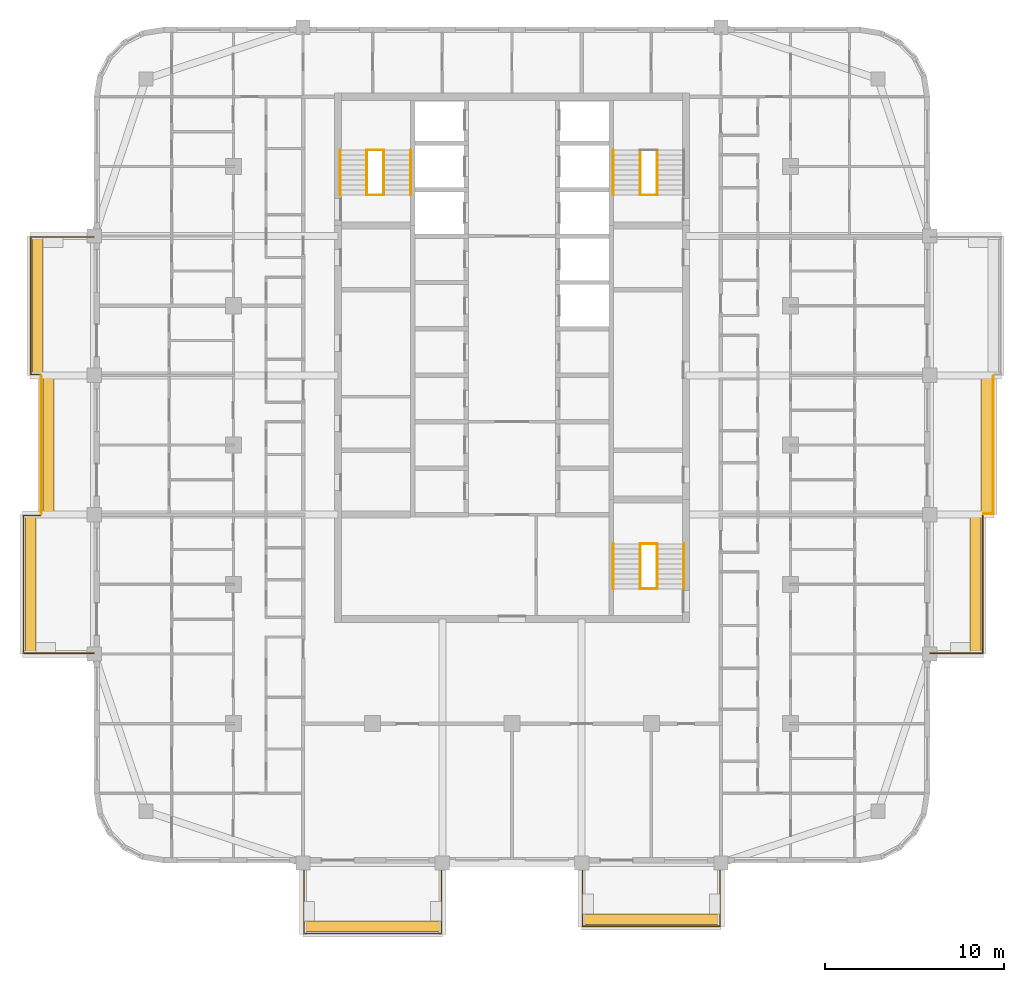
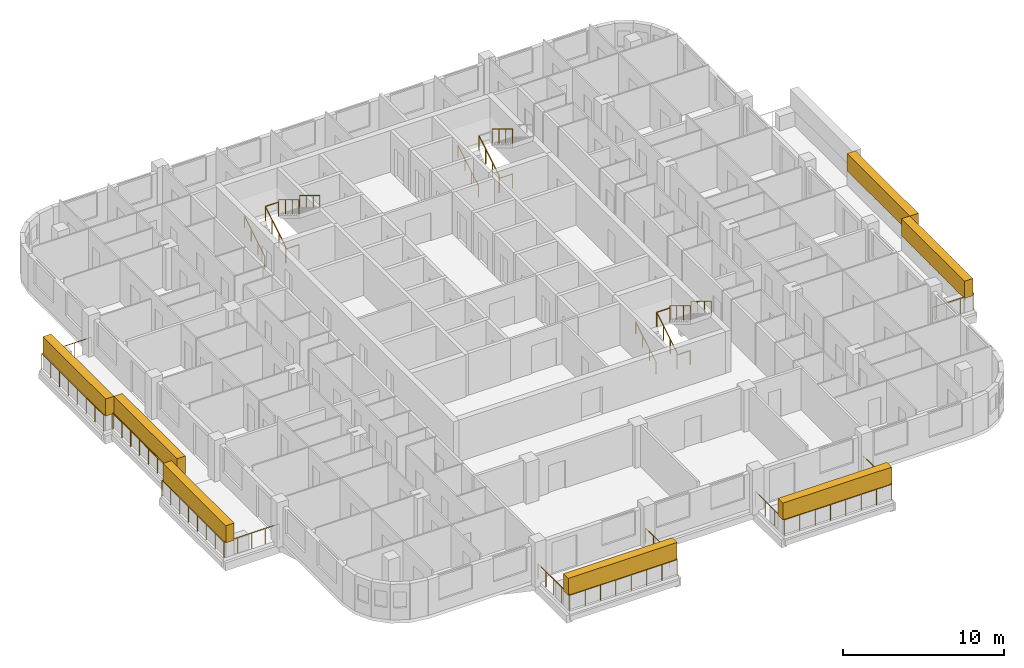
# One storey, part 15 of 16: 23 railings, 7 coverings, 3 elements without a shape of their own.
"""IFC4 building model written with IfcOpenShell, lengths in metres."""

from ifc_helpers import new_model, si_unit, direction, frame, origin, origin_2d, place, context, subcontext, project, spatial, rectangle, circle, extrude, material, layer, layer_set, type_object, element, aggregate, save


model = new_model("IFC4")

# Units and contexts
model_context = context("Model", 3, precision=1e-05, world=origin(), true_north=direction((0.0, 1.0)))
body_context = subcontext(model_context, "Body", "Model", "MODEL_VIEW")
ifc_project = project(units=[si_unit("LENGTHUNIT", "METRE"), si_unit("AREAUNIT", "SQUARE_METRE"), si_unit("VOLUMEUNIT", "CUBIC_METRE"), si_unit("PLANEANGLEUNIT", "RADIAN"), si_unit("MASSUNIT", "GRAM", prefix="KILO")], contexts=[model_context])

# Site, building, storey
site_placement = place(None, origin())
site = spatial("IfcSite", under=ifc_project, at=site_placement, CompositionType="ELEMENT")
building_placement = place(site_placement, origin())
building = spatial("IfcBuilding", under=site, at=building_placement, Name="Ludao Terraces", CompositionType="ELEMENT")
storey_placement = place(building_placement, frame((0.0, 0.0, 224.5)))
storey = spatial("IfcBuildingStorey", under=building, at=storey_placement, Name="L61", CompositionType="ELEMENT", Elevation=224.5)

# Railings
ifc_material_1 = material(Name="Stainless steel 304", Category="steel")
railing_type_1 = type_object("IfcRailingType", Name="ENV Balcony glass guard 1200", PredefinedType="GUARDRAIL", material=ifc_material_1)
railing_1_placement = place(storey_placement, frame((73.35009765625, 41.60009765625, 0.0)))
element("IfcRailing", 1, at=railing_1_placement, inside=storey, type_object=railing_type_1, Name="Balcony guard L61 S1", PredefinedType="GUARDRAIL", context=body_context, shape_type="SweptSolid", body=[
    extrude(circle(Radius=0.02392578125, at=origin_2d()), frame((0.0, 0.0, 1.17578125), z_axis=(0.0, -1.0, 0.0), x_axis=(1.0, 0.0, 0.0)), (0.0, 0.0, 1.0), 3.9501953125),
    extrude(circle(Radius=0.02392578125, at=origin_2d()), frame((0.0, -3.9501953125, 1.17578125), z_axis=(1.0, 0.0, 0.0), x_axis=(0.0, 1.0, 0.0)), (0.0, 0.0, 1.0), 7.699951171875),
    extrude(circle(Radius=0.02392578125, at=origin_2d()), frame((7.699951171875, -3.9501953125, 1.17578125), z_axis=(0.0, 1.0, 0.0), x_axis=(-1.0, 0.0, 0.0)), (0.0, 0.0, 1.0), 3.9501953125),
    extrude(circle(Radius=0.02099609375, at=origin_2d()), origin(), (0.0, 0.0, 1.0), 1.15185546875),
    extrude(circle(Radius=0.02099609375, at=origin_2d()), frame((0.0, -0.987548828125, 0.0)), (0.0, 0.0, 1.0), 1.15185546875),
    extrude(circle(Radius=0.02099609375, at=origin_2d()), frame((0.0, -1.97509765625, 0.0)), (0.0, 0.0, 1.0), 1.15185546875),
    extrude(circle(Radius=0.02099609375, at=origin_2d()), frame((0.0, -2.962646484375, 0.0)), (0.0, 0.0, 1.0), 1.15185546875),
    extrude(circle(Radius=0.02099609375, at=origin_2d()), frame((0.0, -3.9501953125, 0.0)), (0.0, 0.0, 1.0), 1.15185546875),
    extrude(circle(Radius=0.02099609375, at=origin_2d()), frame((1.10009765625, -3.9501953125, 0.0)), (0.0, 0.0, 1.0), 1.15185546875),
    extrude(circle(Radius=0.02099609375, at=origin_2d()), frame((2.199951171875, -3.9501953125, 0.0)), (0.0, 0.0, 1.0), 1.15185546875),
    extrude(circle(Radius=0.02099609375, at=origin_2d()), frame((3.300048828125, -3.9501953125, 0.0)), (0.0, 0.0, 1.0), 1.15185546875),
    extrude(circle(Radius=0.02099609375, at=origin_2d()), frame((4.39990234375, -3.9501953125, 0.0)), (0.0, 0.0, 1.0), 1.15185546875),
    extrude(circle(Radius=0.02099609375, at=origin_2d()), frame((5.5, -3.9501953125, 0.0)), (0.0, 0.0, 1.0), 1.15185546875),
    extrude(circle(Radius=0.02099609375, at=origin_2d()), frame((6.599853515625, -3.9501953125, 0.0)), (0.0, 0.0, 1.0), 1.15185546875),
    extrude(circle(Radius=0.02099609375, at=origin_2d()), frame((7.699951171875, -3.9501953125, 0.0)), (0.0, 0.0, 1.0), 1.15185546875),
    extrude(circle(Radius=0.02099609375, at=origin_2d()), frame((7.699951171875, -2.962646484375, 0.0)), (0.0, 0.0, 1.0), 1.15185546875),
    extrude(circle(Radius=0.02099609375, at=origin_2d()), frame((7.699951171875, -1.97509765625, 0.0)), (0.0, 0.0, 1.0), 1.15185546875),
    extrude(circle(Radius=0.02099609375, at=origin_2d()), frame((7.699951171875, -0.987548828125, 0.0)), (0.0, 0.0, 1.0), 1.15185546875),
    extrude(circle(Radius=0.02099609375, at=origin_2d()), frame((7.699951171875, 0.0, 0.0)), (0.0, 0.0, 1.0), 1.15185546875),
])
railing_2_placement = place(storey_placement, frame((88.949951171875, 41.60009765625, 0.0)))
element("IfcRailing", 2, at=railing_2_placement, inside=storey, type_object=railing_type_1, Name="Balcony guard L61 S3", PredefinedType="GUARDRAIL", context=body_context, shape_type="SweptSolid", body=[
    extrude(circle(Radius=0.02392578125, at=origin_2d()), frame((0.0, 0.0, 1.17578125), z_axis=(0.0, -1.0, 0.0), x_axis=(1.0, 0.0, 0.0)), (0.0, 0.0, 1.0), 3.550048828125),
    extrude(circle(Radius=0.02392578125, at=origin_2d()), frame((0.0, -3.550048828125, 1.17578125), z_axis=(1.0, 0.0, 0.0), x_axis=(0.0, 1.0, 0.0)), (0.0, 0.0, 1.0), 7.699951171875),
    extrude(circle(Radius=0.02392578125, at=origin_2d()), frame((7.699951171875, -3.550048828125, 1.17578125), z_axis=(0.0, 1.0, 0.0), x_axis=(-1.0, 0.0, 0.0)), (0.0, 0.0, 1.0), 3.550048828125),
    extrude(circle(Radius=0.02099609375, at=origin_2d()), origin(), (0.0, 0.0, 1.0), 1.15185546875),
    extrude(circle(Radius=0.02099609375, at=origin_2d()), frame((0.0, -1.183349609375, 0.0)), (0.0, 0.0, 1.0), 1.15185546875),
    extrude(circle(Radius=0.02099609375, at=origin_2d()), frame((0.0, -2.36669921875, 0.0)), (0.0, 0.0, 1.0), 1.15185546875),
    extrude(circle(Radius=0.02099609375, at=origin_2d()), frame((0.0, -3.550048828125, 0.0)), (0.0, 0.0, 1.0), 1.15185546875),
    extrude(circle(Radius=0.02099609375, at=origin_2d()), frame((1.10009765625, -3.550048828125, 0.0)), (0.0, 0.0, 1.0), 1.15185546875),
    extrude(circle(Radius=0.02099609375, at=origin_2d()), frame((2.199951171875, -3.550048828125, 0.0)), (0.0, 0.0, 1.0), 1.15185546875),
    extrude(circle(Radius=0.02099609375, at=origin_2d()), frame((3.300048828125, -3.550048828125, 0.0)), (0.0, 0.0, 1.0), 1.15185546875),
    extrude(circle(Radius=0.02099609375, at=origin_2d()), frame((4.39990234375, -3.550048828125, 0.0)), (0.0, 0.0, 1.0), 1.15185546875),
    extrude(circle(Radius=0.02099609375, at=origin_2d()), frame((5.5, -3.550048828125, 0.0)), (0.0, 0.0, 1.0), 1.15185546875),
    extrude(circle(Radius=0.02099609375, at=origin_2d()), frame((6.599853515625, -3.550048828125, 0.0)), (0.0, 0.0, 1.0), 1.15185546875),
    extrude(circle(Radius=0.02099609375, at=origin_2d()), frame((7.699951171875, -3.550048828125, 0.0)), (0.0, 0.0, 1.0), 1.15185546875),
    extrude(circle(Radius=0.02099609375, at=origin_2d()), frame((7.699951171875, -2.36669921875, 0.0)), (0.0, 0.0, 1.0), 1.15185546875),
    extrude(circle(Radius=0.02099609375, at=origin_2d()), frame((7.699951171875, -1.183349609375, 0.0)), (0.0, 0.0, 1.0), 1.15185546875),
    extrude(circle(Radius=0.02099609375, at=origin_2d()), frame((7.699951171875, 0.0, 0.0)), (0.0, 0.0, 1.0), 1.15185546875),
])
railing_3_placement = place(storey_placement, frame((108.39990234375, 53.35009765625, 0.0)))
element("IfcRailing", 3, at=railing_3_placement, inside=storey, type_object=railing_type_1, Name="Balcony guard L61 E1", PredefinedType="GUARDRAIL", context=body_context, shape_type="SweptSolid", body=[
    extrude(circle(Radius=0.02392578125, at=origin_2d()), frame((0.0, 0.0, 1.17578125), z_axis=(1.0, 0.0, 0.0), x_axis=(0.0, 1.0, 0.0)), (0.0, 0.0, 1.0), 2.9501953125),
    extrude(circle(Radius=0.02392578125, at=origin_2d()), frame((2.9501953125, 0.0, 1.17578125), z_axis=(0.0, 1.0, 0.0), x_axis=(-1.0, 0.0, 0.0)), (0.0, 0.0, 1.0), 7.699951171875),
    extrude(circle(Radius=0.02099609375, at=origin_2d()), origin(), (0.0, 0.0, 1.0), 1.15185546875),
    extrude(circle(Radius=0.02099609375, at=origin_2d()), frame((0.9833984375, 0.0, 0.0)), (0.0, 0.0, 1.0), 1.15185546875),
    extrude(circle(Radius=0.02099609375, at=origin_2d()), frame((1.966796875, 0.0, 0.0)), (0.0, 0.0, 1.0), 1.15185546875),
    extrude(circle(Radius=0.02099609375, at=origin_2d()), frame((2.9501953125, 0.0, 0.0)), (0.0, 0.0, 1.0), 1.15185546875),
    extrude(circle(Radius=0.02099609375, at=origin_2d()), frame((2.9501953125, 1.10009765625, 0.0)), (0.0, 0.0, 1.0), 1.15185546875),
    extrude(circle(Radius=0.02099609375, at=origin_2d()), frame((2.9501953125, 2.199951171875, 0.0)), (0.0, 0.0, 1.0), 1.15185546875),
    extrude(circle(Radius=0.02099609375, at=origin_2d()), frame((2.9501953125, 3.300048828125, 0.0)), (0.0, 0.0, 1.0), 1.15185546875),
    extrude(circle(Radius=0.02099609375, at=origin_2d()), frame((2.9501953125, 4.39990234375, 0.0)), (0.0, 0.0, 1.0), 1.15185546875),
    extrude(circle(Radius=0.02099609375, at=origin_2d()), frame((2.9501953125, 5.5, 0.0)), (0.0, 0.0, 1.0), 1.15185546875),
    extrude(circle(Radius=0.02099609375, at=origin_2d()), frame((2.9501953125, 6.599853515625, 0.0)), (0.0, 0.0, 1.0), 1.15185546875),
    extrude(circle(Radius=0.02099609375, at=origin_2d()), frame((2.9501953125, 7.699951171875, 0.0)), (0.0, 0.0, 1.0), 1.15185546875),
])
railing_4_placement = place(storey_placement, frame((111.39990234375, 61.14990234375, 0.0)))
element("IfcRailing", 4, at=railing_4_placement, inside=storey, type_object=railing_type_1, Name="Balcony guard L61 E2", PredefinedType="GUARDRAIL", context=body_context, shape_type="SweptSolid", body=[
    extrude(circle(Radius=0.02392578125, at=origin_2d()), frame((0.0, 0.0, 1.17578125), z_axis=(1.0, 0.0, 0.0), x_axis=(0.0, 1.0, 0.0)), (0.0, 0.0, 1.0), 0.550048828125),
    extrude(circle(Radius=0.02392578125, at=origin_2d()), frame((0.550048828125, 0.0, 1.17578125), z_axis=(0.0, 1.0, 0.0), x_axis=(-1.0, 0.0, 0.0)), (0.0, 0.0, 1.0), 7.7001953125),
    extrude(circle(Radius=0.02099609375, at=origin_2d()), origin(), (0.0, 0.0, 1.0), 1.15185546875),
    extrude(circle(Radius=0.02099609375, at=origin_2d()), frame((0.550048828125, 0.0, 0.0)), (0.0, 0.0, 1.0), 1.15185546875),
    extrude(circle(Radius=0.02099609375, at=origin_2d()), frame((0.550048828125, 1.10009765625, 0.0)), (0.0, 0.0, 1.0), 1.15185546875),
    extrude(circle(Radius=0.02099609375, at=origin_2d()), frame((0.550048828125, 2.199951171875, 0.0)), (0.0, 0.0, 1.0), 1.15185546875),
    extrude(circle(Radius=0.02099609375, at=origin_2d()), frame((0.550048828125, 3.300048828125, 0.0)), (0.0, 0.0, 1.0), 1.15185546875),
    extrude(circle(Radius=0.02099609375, at=origin_2d()), frame((0.550048828125, 4.400146484375, 0.0)), (0.0, 0.0, 1.0), 1.15185546875),
    extrude(circle(Radius=0.02099609375, at=origin_2d()), frame((0.550048828125, 5.500244140625, 0.0)), (0.0, 0.0, 1.0), 1.15185546875),
    extrude(circle(Radius=0.02099609375, at=origin_2d()), frame((0.550048828125, 6.60009765625, 0.0)), (0.0, 0.0, 1.0), 1.15185546875),
    extrude(circle(Radius=0.02099609375, at=origin_2d()), frame((0.550048828125, 7.7001953125, 0.0)), (0.0, 0.0, 1.0), 1.15185546875),
])
railing_5_placement = place(storey_placement, frame((61.60009765625, 53.35009765625, 0.0)))
element("IfcRailing", 5, at=railing_5_placement, inside=storey, type_object=railing_type_1, Name="Balcony guard L61 W1", PredefinedType="GUARDRAIL", context=body_context, shape_type="SweptSolid", body=[
    extrude(circle(Radius=0.02392578125, at=origin_2d()), frame((0.0, 0.0, 1.17578125), z_axis=(-1.0, 0.0, 0.0), x_axis=(0.0, -1.0, 0.0)), (0.0, 0.0, 1.0), 3.9501953125),
    extrude(circle(Radius=0.02392578125, at=origin_2d()), frame((-3.9501953125, 0.0, 1.17578125), z_axis=(0.0, 1.0, 0.0), x_axis=(-1.0, 0.0, 0.0)), (0.0, 0.0, 1.0), 7.699951171875),
    extrude(circle(Radius=0.02392578125, at=origin_2d()), frame((-3.9501953125, 7.699951171875, 1.17578125), z_axis=(1.0, 0.0, 0.0), x_axis=(0.0, 1.0, 0.0)), (0.0, 0.0, 1.0), 0.9501953125),
    extrude(circle(Radius=0.02099609375, at=origin_2d()), origin(), (0.0, 0.0, 1.0), 1.15185546875),
    extrude(circle(Radius=0.02099609375, at=origin_2d()), frame((-0.987548828125, 0.0, 0.0)), (0.0, 0.0, 1.0), 1.15185546875),
    extrude(circle(Radius=0.02099609375, at=origin_2d()), frame((-1.97509765625, 0.0, 0.0)), (0.0, 0.0, 1.0), 1.15185546875),
    extrude(circle(Radius=0.02099609375, at=origin_2d()), frame((-2.962646484375, 0.0, 0.0)), (0.0, 0.0, 1.0), 1.15185546875),
    extrude(circle(Radius=0.02099609375, at=origin_2d()), frame((-3.9501953125, 0.0, 0.0)), (0.0, 0.0, 1.0), 1.15185546875),
    extrude(circle(Radius=0.02099609375, at=origin_2d()), frame((-3.9501953125, 1.10009765625, 0.0)), (0.0, 0.0, 1.0), 1.15185546875),
    extrude(circle(Radius=0.02099609375, at=origin_2d()), frame((-3.9501953125, 2.199951171875, 0.0)), (0.0, 0.0, 1.0), 1.15185546875),
    extrude(circle(Radius=0.02099609375, at=origin_2d()), frame((-3.9501953125, 3.300048828125, 0.0)), (0.0, 0.0, 1.0), 1.15185546875),
    extrude(circle(Radius=0.02099609375, at=origin_2d()), frame((-3.9501953125, 4.39990234375, 0.0)), (0.0, 0.0, 1.0), 1.15185546875),
    extrude(circle(Radius=0.02099609375, at=origin_2d()), frame((-3.9501953125, 5.5, 0.0)), (0.0, 0.0, 1.0), 1.15185546875),
    extrude(circle(Radius=0.02099609375, at=origin_2d()), frame((-3.9501953125, 6.599853515625, 0.0)), (0.0, 0.0, 1.0), 1.15185546875),
    extrude(circle(Radius=0.02099609375, at=origin_2d()), frame((-3.9501953125, 7.699951171875, 0.0)), (0.0, 0.0, 1.0), 1.15185546875),
    extrude(circle(Radius=0.02099609375, at=origin_2d()), frame((-3.0, 7.699951171875, 0.0)), (0.0, 0.0, 1.0), 1.15185546875),
])
railing_6_placement = place(storey_placement, frame((58.64990234375, 61.14990234375, 0.0)))
element("IfcRailing", 6, at=railing_6_placement, inside=storey, type_object=railing_type_1, Name="Balcony guard L61 W2", PredefinedType="GUARDRAIL", context=body_context, shape_type="SweptSolid", body=[
    extrude(circle(Radius=0.02392578125, at=origin_2d()), frame((0.0, 0.0, 1.17578125), z_axis=(0.0, 1.0, 0.0), x_axis=(-1.0, 0.0, 0.0)), (0.0, 0.0, 1.0), 7.7001953125),
    extrude(circle(Radius=0.02099609375, at=origin_2d()), origin(), (0.0, 0.0, 1.0), 1.15185546875),
    extrude(circle(Radius=0.02099609375, at=origin_2d()), frame((0.0, 1.10009765625, 0.0)), (0.0, 0.0, 1.0), 1.15185546875),
    extrude(circle(Radius=0.02099609375, at=origin_2d()), frame((0.0, 2.199951171875, 0.0)), (0.0, 0.0, 1.0), 1.15185546875),
    extrude(circle(Radius=0.02099609375, at=origin_2d()), frame((0.0, 3.300048828125, 0.0)), (0.0, 0.0, 1.0), 1.15185546875),
    extrude(circle(Radius=0.02099609375, at=origin_2d()), frame((0.0, 4.400146484375, 0.0)), (0.0, 0.0, 1.0), 1.15185546875),
    extrude(circle(Radius=0.02099609375, at=origin_2d()), frame((0.0, 5.500244140625, 0.0)), (0.0, 0.0, 1.0), 1.15185546875),
    extrude(circle(Radius=0.02099609375, at=origin_2d()), frame((0.0, 6.60009765625, 0.0)), (0.0, 0.0, 1.0), 1.15185546875),
    extrude(circle(Radius=0.02099609375, at=origin_2d()), frame((0.0, 7.7001953125, 0.0)), (0.0, 0.0, 1.0), 1.15185546875),
])
railing_7_placement = place(storey_placement, frame((58.60009765625, 68.949951171875, 0.0)))
element("IfcRailing", 7, at=railing_7_placement, inside=storey, type_object=railing_type_1, Name="Balcony guard L61 W3", PredefinedType="GUARDRAIL", context=body_context, shape_type="SweptSolid", body=[
    extrude(circle(Radius=0.02392578125, at=origin_2d()), frame((0.0, 0.0, 1.17578125), z_axis=(-1.0, 0.0, 0.0), x_axis=(0.0, -1.0, 0.0)), (0.0, 0.0, 1.0), 0.550048828125),
    extrude(circle(Radius=0.02392578125, at=origin_2d()), frame((-0.550048828125, 0.0, 1.17578125), z_axis=(0.0, 1.0, 0.0), x_axis=(-1.0, 0.0, 0.0)), (0.0, 0.0, 1.0), 7.699951171875),
    extrude(circle(Radius=0.02392578125, at=origin_2d()), frame((-0.550048828125, 7.699951171875, 1.17578125), z_axis=(1.0, 0.0, 0.0), x_axis=(0.0, 1.0, 0.0)), (0.0, 0.0, 1.0), 3.550048828125),
    extrude(circle(Radius=0.02099609375, at=origin_2d()), origin(), (0.0, 0.0, 1.0), 1.15185546875),
    extrude(circle(Radius=0.02099609375, at=origin_2d()), frame((-0.550048828125, 0.0, 0.0)), (0.0, 0.0, 1.0), 1.15185546875),
    extrude(circle(Radius=0.02099609375, at=origin_2d()), frame((-0.550048828125, 1.10009765625, 0.0)), (0.0, 0.0, 1.0), 1.15185546875),
    extrude(circle(Radius=0.02099609375, at=origin_2d()), frame((-0.550048828125, 2.199951171875, 0.0)), (0.0, 0.0, 1.0), 1.15185546875),
    extrude(circle(Radius=0.02099609375, at=origin_2d()), frame((-0.550048828125, 3.300048828125, 0.0)), (0.0, 0.0, 1.0), 1.15185546875),
    extrude(circle(Radius=0.02099609375, at=origin_2d()), frame((-0.550048828125, 4.39990234375, 0.0)), (0.0, 0.0, 1.0), 1.15185546875),
    extrude(circle(Radius=0.02099609375, at=origin_2d()), frame((-0.550048828125, 5.5, 0.0)), (0.0, 0.0, 1.0), 1.15185546875),
    extrude(circle(Radius=0.02099609375, at=origin_2d()), frame((-0.550048828125, 6.599853515625, 0.0)), (0.0, 0.0, 1.0), 1.15185546875),
    extrude(circle(Radius=0.02099609375, at=origin_2d()), frame((-0.550048828125, 7.699951171875, 0.0)), (0.0, 0.0, 1.0), 1.15185546875),
    extrude(circle(Radius=0.02099609375, at=origin_2d()), frame((0.63330078125, 7.699951171875, 0.0)), (0.0, 0.0, 1.0), 1.15185546875),
    extrude(circle(Radius=0.02099609375, at=origin_2d()), frame((1.816650390625, 7.699951171875, 0.0)), (0.0, 0.0, 1.0), 1.15185546875),
    extrude(circle(Radius=0.02099609375, at=origin_2d()), frame((3.0, 7.699951171875, 0.0)), (0.0, 0.0, 1.0), 1.15185546875),
])

# Coverings
ifc_material_2 = material(Name="Planting")
ifc_layer = layer(ifc_material_2, 0.60009765625)
ifc_layer_set = layer_set([ifc_layer], Name="ENV Planting hedge 600x1300")
covering_type = type_object("IfcCoveringType", Name="ENV Planting hedge 600x1300", PredefinedType="USERDEFINED", material=ifc_layer_set)
for number, where, z_axis, x_axis, name in (
    (8, (77.199951171875, 38.050048828125, 1.10009765625), (0.0, 0.0, 1.0), (1.0, 0.0, 0.0), "Planting hedge L61-S1"),
    (9, (92.800048828125, 38.449951171875, 1.10009765625), (0.0, 0.0, 1.0), (1.0, 0.0, 0.0), "Planting hedge L61-S3"),
):
    element("IfcCovering", number, at=place(storey_placement, frame(where, z_axis=z_axis, x_axis=x_axis)), inside=storey, type_object=covering_type, Name=name, ObjectType="PLANTING", PredefinedType="USERDEFINED", context=body_context, shape_type="SweptSolid", body=[
        extrude(rectangle(XDim=7.800048828125, YDim=0.60009765625, at=origin_2d()), origin(), (0.0, 0.0, 1.0), 1.300048828125),
    ])
for number, where, z_axis, x_axis, name in (
    (10, (110.949951171875, 57.199951171875, 1.10009765625), (0.0, 0.0, 1.0), (1.0, 0.0, 0.0), "Planting hedge L61-E1"),
    (11, (111.550048828125, 65.0, 1.10009765625), (0.0, 0.0, 1.0), (1.0, 0.0, 0.0), "Planting hedge L61-E2"),
    (12, (58.050048828125, 57.199951171875, 1.10009765625), (0.0, 0.0, 1.0), (1.0, 0.0, 0.0), "Planting hedge L61-W1"),
    (13, (59.050048828125, 65.0, 1.10009765625), (0.0, 0.0, 1.0), (1.0, 0.0, 0.0), "Planting hedge L61-W2"),
    (14, (58.449951171875, 72.800048828125, 1.10009765625), (0.0, 0.0, 1.0), (1.0, 0.0, 0.0), "Planting hedge L61-W3"),
):
    element("IfcCovering", number, at=place(storey_placement, frame(where, z_axis=z_axis, x_axis=x_axis)), inside=storey, type_object=covering_type, Name=name, ObjectType="PLANTING", PredefinedType="USERDEFINED", context=body_context, shape_type="SweptSolid", body=[
        extrude(rectangle(XDim=0.60009765625, YDim=7.800048828125, at=origin_2d()), origin(), (0.0, 0.0, 1.0), 1.300048828125),
    ])

# Stair, railings
ifc_material_3 = material(Name="Concrete C40", Category="concrete")
stair_type = type_object("IfcStairType", Name="INT Stair", PredefinedType="HALF_TURN_STAIR", material=ifc_material_3)
stair_1_placement = place(storey_placement, origin())
stair_1 = element("IfcStair", 15, at=stair_1_placement, inside=storey, type_object=stair_type, Name="EXIT STAIR 1", PredefinedType="HALF_TURN_STAIR")
railing_type_2 = type_object("IfcRailingType", Name="INT Stair guard 1100", PredefinedType="GUARDRAIL", material=ifc_material_1)
railing_8_placement = place(storey_placement, frame((76.875, 79.0, 0.169921875)))
railing_8 = element("IfcRailing", 16, at=railing_8_placement, type_object=railing_type_2, Name="ST-L61-S1-R1G", PredefinedType="GUARDRAIL", context=body_context, shape_type="SweptSolid", body=[
    extrude(circle(Radius=0.02392578125, at=origin_2d()), frame((0.0, 0.0, 1.076171875), z_axis=(0.0, 0.85478489116, 0.518982456201), x_axis=(-1.0, 0.0, 0.0)), (0.0, 0.0, 1.0), 2.9482421875),
    extrude(circle(Radius=0.02099609375, at=origin_2d()), origin(), (0.0, 0.0, 1.0), 1.052001953125),
    extrude(circle(Radius=0.02099609375, at=origin_2d()), frame((0.0, 0.840087890625, 0.510009765625)), (0.0, 0.0, 1.0), 1.052001953125),
    extrude(circle(Radius=0.02099609375, at=origin_2d()), frame((0.0, 1.679931640625, 1.02001953125)), (0.0, 0.0, 1.0), 1.052001953125),
    extrude(circle(Radius=0.02099609375, at=origin_2d()), frame((0.0, 2.52001953125, 1.530029296875)), (0.0, 0.0, 1.0), 1.052001953125),
])
railing_9_placement = place(storey_placement, frame((77.824951171875, 81.52001953125, 1.8701171875)))
railing_9 = element("IfcRailing", 17, at=railing_9_placement, type_object=railing_type_2, Name="ST-L61-S1-R2G", PredefinedType="GUARDRAIL", context=body_context, shape_type="SweptSolid", body=[
    extrude(circle(Radius=0.02392578125, at=origin_2d()), frame((0.0, 0.0, 1.076171875), z_axis=(0.0, -0.854821627497, 0.518921945155), x_axis=(1.0, 0.0, 0.0)), (0.0, 0.0, 1.0), 2.947998046875),
    extrude(circle(Radius=0.02099609375, at=origin_2d()), origin(), (0.0, 0.0, 1.0), 1.052001953125),
    extrude(circle(Radius=0.02099609375, at=origin_2d()), frame((0.0, -0.840087890625, 0.510009765625)), (0.0, 0.0, 1.0), 1.052001953125),
    extrude(circle(Radius=0.02099609375, at=origin_2d()), frame((0.0, -1.679931640625, 1.019775390625)), (0.0, 0.0, 1.0), 1.052001953125),
    extrude(circle(Radius=0.02099609375, at=origin_2d()), frame((0.0, -2.52001953125, 1.52978515625)), (0.0, 0.0, 1.0), 1.052001953125),
])
railing_10_placement = place(storey_placement, frame((76.875, 81.52001953125, 1.699951171875)))
railing_10 = element("IfcRailing", 18, at=railing_10_placement, type_object=railing_type_2, Name="ST-L61-S1-E1G", PredefinedType="GUARDRAIL", context=body_context, shape_type="SweptSolid", body=[
    extrude(circle(Radius=0.02392578125, at=origin_2d()), frame((0.0, 0.0, 1.076171875), z_axis=(1.0, 0.0, 0.0), x_axis=(0.0, 1.0, 0.0)), (0.0, 0.0, 1.0), 0.949951171875),
    extrude(circle(Radius=0.02099609375, at=origin_2d()), origin(), (0.0, 0.0, 1.0), 1.052001953125),
    extrude(circle(Radius=0.02099609375, at=origin_2d()), frame((0.949951171875, 0.0, 0.0)), (0.0, 0.0, 1.0), 1.052001953125),
])
railing_11_placement = place(storey_placement, frame((76.875, 79.0, 0.0)))
railing_11 = element("IfcRailing", 19, at=railing_11_placement, type_object=railing_type_2, Name="ST-L61-S1-E2G", PredefinedType="GUARDRAIL", context=body_context, shape_type="SweptSolid", body=[
    extrude(circle(Radius=0.02392578125, at=origin_2d()), frame((0.0, 0.0, 1.076171875), z_axis=(1.0, 0.0, 0.0), x_axis=(0.0, 1.0, 0.0)), (0.0, 0.0, 1.0), 0.949951171875),
    extrude(circle(Radius=0.02099609375, at=origin_2d()), origin(), (0.0, 0.0, 1.0), 1.052001953125),
    extrude(circle(Radius=0.02099609375, at=origin_2d()), frame((0.949951171875, 0.0, 0.0)), (0.0, 0.0, 1.0), 1.052001953125),
])

stair_2_placement = place(storey_placement, origin())
stair_2 = element("IfcStair", 20, at=stair_2_placement, inside=storey, type_object=stair_type, Name="EXIT STAIR 2", PredefinedType="HALF_TURN_STAIR")
railing_12_placement = place(storey_placement, frame((92.175048828125, 79.0, 0.169921875)))
railing_12 = element("IfcRailing", 21, at=railing_12_placement, type_object=railing_type_2, Name="ST-L61-S2-R1G", PredefinedType="GUARDRAIL", context=body_context, shape_type="SweptSolid", body=[
    extrude(circle(Radius=0.02392578125, at=origin_2d()), frame((0.0, 0.0, 1.076171875), z_axis=(0.0, 0.85478489116, 0.518982456201), x_axis=(-1.0, 0.0, 0.0)), (0.0, 0.0, 1.0), 2.9482421875),
    extrude(circle(Radius=0.02099609375, at=origin_2d()), origin(), (0.0, 0.0, 1.0), 1.052001953125),
    extrude(circle(Radius=0.02099609375, at=origin_2d()), frame((0.0, 0.840087890625, 0.510009765625)), (0.0, 0.0, 1.0), 1.052001953125),
    extrude(circle(Radius=0.02099609375, at=origin_2d()), frame((0.0, 1.679931640625, 1.02001953125)), (0.0, 0.0, 1.0), 1.052001953125),
    extrude(circle(Radius=0.02099609375, at=origin_2d()), frame((0.0, 2.52001953125, 1.530029296875)), (0.0, 0.0, 1.0), 1.052001953125),
])
railing_13_placement = place(storey_placement, frame((93.125, 81.52001953125, 1.8701171875)))
railing_13 = element("IfcRailing", 22, at=railing_13_placement, type_object=railing_type_2, Name="ST-L61-S2-R2G", PredefinedType="GUARDRAIL", context=body_context, shape_type="SweptSolid", body=[
    extrude(circle(Radius=0.02392578125, at=origin_2d()), frame((0.0, 0.0, 1.076171875), z_axis=(0.0, -0.854821627497, 0.518921945155), x_axis=(1.0, 0.0, 0.0)), (0.0, 0.0, 1.0), 2.947998046875),
    extrude(circle(Radius=0.02099609375, at=origin_2d()), origin(), (0.0, 0.0, 1.0), 1.052001953125),
    extrude(circle(Radius=0.02099609375, at=origin_2d()), frame((0.0, -0.840087890625, 0.510009765625)), (0.0, 0.0, 1.0), 1.052001953125),
    extrude(circle(Radius=0.02099609375, at=origin_2d()), frame((0.0, -1.679931640625, 1.019775390625)), (0.0, 0.0, 1.0), 1.052001953125),
    extrude(circle(Radius=0.02099609375, at=origin_2d()), frame((0.0, -2.52001953125, 1.52978515625)), (0.0, 0.0, 1.0), 1.052001953125),
])
railing_14_placement = place(storey_placement, frame((92.175048828125, 79.0, 0.0)))
railing_14 = element("IfcRailing", 23, at=railing_14_placement, type_object=railing_type_2, Name="ST-L61-S2-E2G", PredefinedType="GUARDRAIL", context=body_context, shape_type="SweptSolid", body=[
    extrude(circle(Radius=0.02392578125, at=origin_2d()), frame((0.0, 0.0, 1.076171875), z_axis=(1.0, 0.0, 0.0), x_axis=(0.0, 1.0, 0.0)), (0.0, 0.0, 1.0), 0.949951171875),
    extrude(circle(Radius=0.02099609375, at=origin_2d()), origin(), (0.0, 0.0, 1.0), 1.052001953125),
    extrude(circle(Radius=0.02099609375, at=origin_2d()), frame((0.949951171875, 0.0, 0.0)), (0.0, 0.0, 1.0), 1.052001953125),
])

stair_3_placement = place(storey_placement, origin())
stair_3 = element("IfcStair", 24, at=stair_3_placement, inside=storey, type_object=stair_type, Name="EXIT STAIR 3", PredefinedType="HALF_TURN_STAIR")
railing_15_placement = place(storey_placement, frame((92.175048828125, 56.949951171875, 0.169921875)))
railing_15 = element("IfcRailing", 25, at=railing_15_placement, type_object=railing_type_2, Name="ST-L61-S3-R1G", PredefinedType="GUARDRAIL", context=body_context, shape_type="SweptSolid", body=[
    extrude(circle(Radius=0.02392578125, at=origin_2d()), frame((0.0, 0.0, 1.076171875), z_axis=(0.0, 0.85478489116, 0.518982456201), x_axis=(-1.0, 0.0, 0.0)), (0.0, 0.0, 1.0), 2.9482421875),
    extrude(circle(Radius=0.02099609375, at=origin_2d()), origin(), (0.0, 0.0, 1.0), 1.052001953125),
    extrude(circle(Radius=0.02099609375, at=origin_2d()), frame((0.0, 0.840087890625, 0.510009765625)), (0.0, 0.0, 1.0), 1.052001953125),
    extrude(circle(Radius=0.02099609375, at=origin_2d()), frame((0.0, 1.679931640625, 1.02001953125)), (0.0, 0.0, 1.0), 1.052001953125),
    extrude(circle(Radius=0.02099609375, at=origin_2d()), frame((0.0, 2.52001953125, 1.530029296875)), (0.0, 0.0, 1.0), 1.052001953125),
])
railing_16_placement = place(storey_placement, frame((93.125, 59.469970703125, 1.8701171875)))
railing_16 = element("IfcRailing", 26, at=railing_16_placement, type_object=railing_type_2, Name="ST-L61-S3-R2G", PredefinedType="GUARDRAIL", context=body_context, shape_type="SweptSolid", body=[
    extrude(circle(Radius=0.02392578125, at=origin_2d()), frame((0.0, 0.0, 1.076171875), z_axis=(0.0, -0.854821627497, 0.518921945155), x_axis=(1.0, 0.0, 0.0)), (0.0, 0.0, 1.0), 2.947998046875),
    extrude(circle(Radius=0.02099609375, at=origin_2d()), origin(), (0.0, 0.0, 1.0), 1.052001953125),
    extrude(circle(Radius=0.02099609375, at=origin_2d()), frame((0.0, -0.840087890625, 0.510009765625)), (0.0, 0.0, 1.0), 1.052001953125),
    extrude(circle(Radius=0.02099609375, at=origin_2d()), frame((0.0, -1.679931640625, 1.019775390625)), (0.0, 0.0, 1.0), 1.052001953125),
    extrude(circle(Radius=0.02099609375, at=origin_2d()), frame((0.0, -2.52001953125, 1.52978515625)), (0.0, 0.0, 1.0), 1.052001953125),
])
railing_17_placement = place(storey_placement, frame((92.175048828125, 59.469970703125, 1.699951171875)))
railing_17 = element("IfcRailing", 27, at=railing_17_placement, type_object=railing_type_2, Name="ST-L61-S3-E1G", PredefinedType="GUARDRAIL", context=body_context, shape_type="SweptSolid", body=[
    extrude(circle(Radius=0.02392578125, at=origin_2d()), frame((0.0, 0.0, 1.076171875), z_axis=(1.0, 0.0, 0.0), x_axis=(0.0, 1.0, 0.0)), (0.0, 0.0, 1.0), 0.949951171875),
    extrude(circle(Radius=0.02099609375, at=origin_2d()), origin(), (0.0, 0.0, 1.0), 1.052001953125),
    extrude(circle(Radius=0.02099609375, at=origin_2d()), frame((0.949951171875, 0.0, 0.0)), (0.0, 0.0, 1.0), 1.052001953125),
])
railing_18_placement = place(storey_placement, frame((92.175048828125, 56.949951171875, 0.0)))
railing_18 = element("IfcRailing", 28, at=railing_18_placement, type_object=railing_type_2, Name="ST-L61-S3-E2G", PredefinedType="GUARDRAIL", context=body_context, shape_type="SweptSolid", body=[
    extrude(circle(Radius=0.02392578125, at=origin_2d()), frame((0.0, 0.0, 1.076171875), z_axis=(1.0, 0.0, 0.0), x_axis=(0.0, 1.0, 0.0)), (0.0, 0.0, 1.0), 0.949951171875),
    extrude(circle(Radius=0.02099609375, at=origin_2d()), origin(), (0.0, 0.0, 1.0), 1.052001953125),
    extrude(circle(Radius=0.02099609375, at=origin_2d()), frame((0.949951171875, 0.0, 0.0)), (0.0, 0.0, 1.0), 1.052001953125),
])

# Railing
railing_type_3 = type_object("IfcRailingType", Name="INT Stair handrail 900", PredefinedType="HANDRAIL", material=ifc_material_1)
railing_19_placement = place(storey_placement, frame((75.375, 79.0, 0.169921875)))
railing_19 = element("IfcRailing", 29, at=railing_19_placement, type_object=railing_type_3, Name="ST-L61-S1-R1H", PredefinedType="HANDRAIL", context=body_context, shape_type="SweptSolid", body=[
    extrude(circle(Radius=0.02392578125, at=origin_2d()), frame((0.0, 0.0, 0.8759765625), z_axis=(0.0, 0.85478489116, 0.518982456201), x_axis=(-1.0, 0.0, 0.0)), (0.0, 0.0, 1.0), 2.9482421875),
    extrude(circle(Radius=0.02099609375, at=origin_2d()), origin(), (0.0, 0.0, 1.0), 0.851806640625),
    extrude(circle(Radius=0.02099609375, at=origin_2d()), frame((0.0, 0.840087890625, 0.510009765625)), (0.0, 0.0, 1.0), 0.851806640625),
    extrude(circle(Radius=0.02099609375, at=origin_2d()), frame((0.0, 1.679931640625, 1.02001953125)), (0.0, 0.0, 1.0), 0.851806640625),
    extrude(circle(Radius=0.02099609375, at=origin_2d()), frame((0.0, 2.52001953125, 1.530029296875)), (0.0, 0.0, 1.0), 0.851806640625),
])

railing_20_placement = place(storey_placement, frame((79.324951171875, 81.52001953125, 1.8701171875)))
railing_20 = element("IfcRailing", 30, at=railing_20_placement, type_object=railing_type_3, Name="ST-L61-S1-R2H", PredefinedType="HANDRAIL", context=body_context, shape_type="SweptSolid", body=[
    extrude(circle(Radius=0.02392578125, at=origin_2d()), frame((0.0, 0.0, 0.8759765625), z_axis=(0.0, -0.854821627497, 0.518921945155), x_axis=(1.0, 0.0, 0.0)), (0.0, 0.0, 1.0), 2.947998046875),
    extrude(circle(Radius=0.02099609375, at=origin_2d()), origin(), (0.0, 0.0, 1.0), 0.851806640625),
    extrude(circle(Radius=0.02099609375, at=origin_2d()), frame((0.0, -0.840087890625, 0.510009765625)), (0.0, 0.0, 1.0), 0.851806640625),
    extrude(circle(Radius=0.02099609375, at=origin_2d()), frame((0.0, -1.679931640625, 1.019775390625)), (0.0, 0.0, 1.0), 0.851806640625),
    extrude(circle(Radius=0.02099609375, at=origin_2d()), frame((0.0, -2.52001953125, 1.52978515625)), (0.0, 0.0, 1.0), 0.851806640625),
])

aggregate(stair_1, [railing_8, railing_19, railing_9, railing_20, railing_10, railing_11])

railing_21_placement = place(storey_placement, frame((90.675048828125, 79.0, 0.169921875)))
railing_21 = element("IfcRailing", 31, at=railing_21_placement, type_object=railing_type_3, Name="ST-L61-S2-R1H", PredefinedType="HANDRAIL", context=body_context, shape_type="SweptSolid", body=[
    extrude(circle(Radius=0.02392578125, at=origin_2d()), frame((0.0, 0.0, 0.8759765625), z_axis=(0.0, 0.85478489116, 0.518982456201), x_axis=(-1.0, 0.0, 0.0)), (0.0, 0.0, 1.0), 2.9482421875),
    extrude(circle(Radius=0.02099609375, at=origin_2d()), origin(), (0.0, 0.0, 1.0), 0.851806640625),
    extrude(circle(Radius=0.02099609375, at=origin_2d()), frame((0.0, 0.840087890625, 0.510009765625)), (0.0, 0.0, 1.0), 0.851806640625),
    extrude(circle(Radius=0.02099609375, at=origin_2d()), frame((0.0, 1.679931640625, 1.02001953125)), (0.0, 0.0, 1.0), 0.851806640625),
    extrude(circle(Radius=0.02099609375, at=origin_2d()), frame((0.0, 2.52001953125, 1.530029296875)), (0.0, 0.0, 1.0), 0.851806640625),
])

aggregate(stair_2, [railing_12, railing_21, railing_13, railing_14])

railing_22_placement = place(storey_placement, frame((90.675048828125, 56.949951171875, 0.169921875)))
railing_22 = element("IfcRailing", 32, at=railing_22_placement, type_object=railing_type_3, Name="ST-L61-S3-R1H", PredefinedType="HANDRAIL", context=body_context, shape_type="SweptSolid", body=[
    extrude(circle(Radius=0.02392578125, at=origin_2d()), frame((0.0, 0.0, 0.8759765625), z_axis=(0.0, 0.85478489116, 0.518982456201), x_axis=(-1.0, 0.0, 0.0)), (0.0, 0.0, 1.0), 2.9482421875),
    extrude(circle(Radius=0.02099609375, at=origin_2d()), origin(), (0.0, 0.0, 1.0), 0.851806640625),
    extrude(circle(Radius=0.02099609375, at=origin_2d()), frame((0.0, 0.840087890625, 0.510009765625)), (0.0, 0.0, 1.0), 0.851806640625),
    extrude(circle(Radius=0.02099609375, at=origin_2d()), frame((0.0, 1.679931640625, 1.02001953125)), (0.0, 0.0, 1.0), 0.851806640625),
    extrude(circle(Radius=0.02099609375, at=origin_2d()), frame((0.0, 2.52001953125, 1.530029296875)), (0.0, 0.0, 1.0), 0.851806640625),
])

railing_23_placement = place(storey_placement, frame((94.625, 59.469970703125, 1.8701171875)))
railing_23 = element("IfcRailing", 33, at=railing_23_placement, type_object=railing_type_3, Name="ST-L61-S3-R2H", PredefinedType="HANDRAIL", context=body_context, shape_type="SweptSolid", body=[
    extrude(circle(Radius=0.02392578125, at=origin_2d()), frame((0.0, 0.0, 0.8759765625), z_axis=(0.0, -0.854821627497, 0.518921945155), x_axis=(1.0, 0.0, 0.0)), (0.0, 0.0, 1.0), 2.947998046875),
    extrude(circle(Radius=0.02099609375, at=origin_2d()), origin(), (0.0, 0.0, 1.0), 0.851806640625),
    extrude(circle(Radius=0.02099609375, at=origin_2d()), frame((0.0, -0.840087890625, 0.510009765625)), (0.0, 0.0, 1.0), 0.851806640625),
    extrude(circle(Radius=0.02099609375, at=origin_2d()), frame((0.0, -1.679931640625, 1.019775390625)), (0.0, 0.0, 1.0), 0.851806640625),
    extrude(circle(Radius=0.02099609375, at=origin_2d()), frame((0.0, -2.52001953125, 1.52978515625)), (0.0, 0.0, 1.0), 0.851806640625),
])

aggregate(stair_3, [railing_15, railing_22, railing_16, railing_23, railing_17, railing_18])

save(model, "model.ifc")
